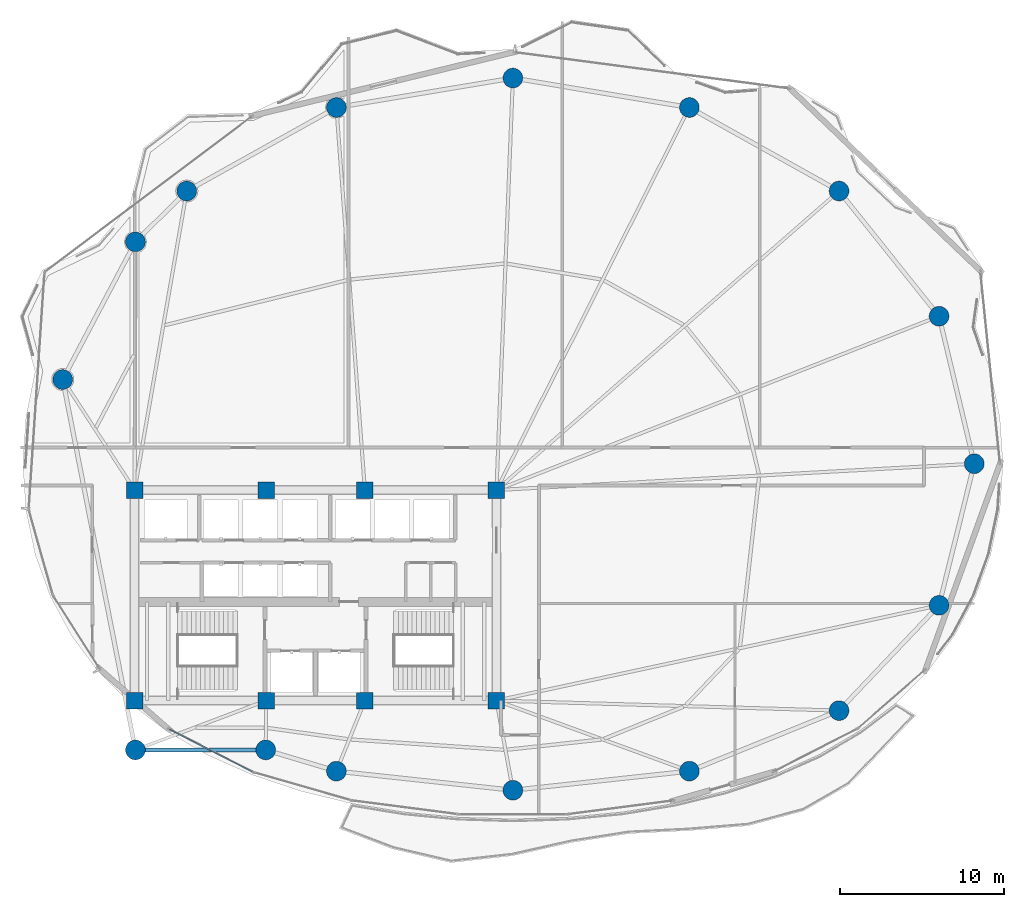
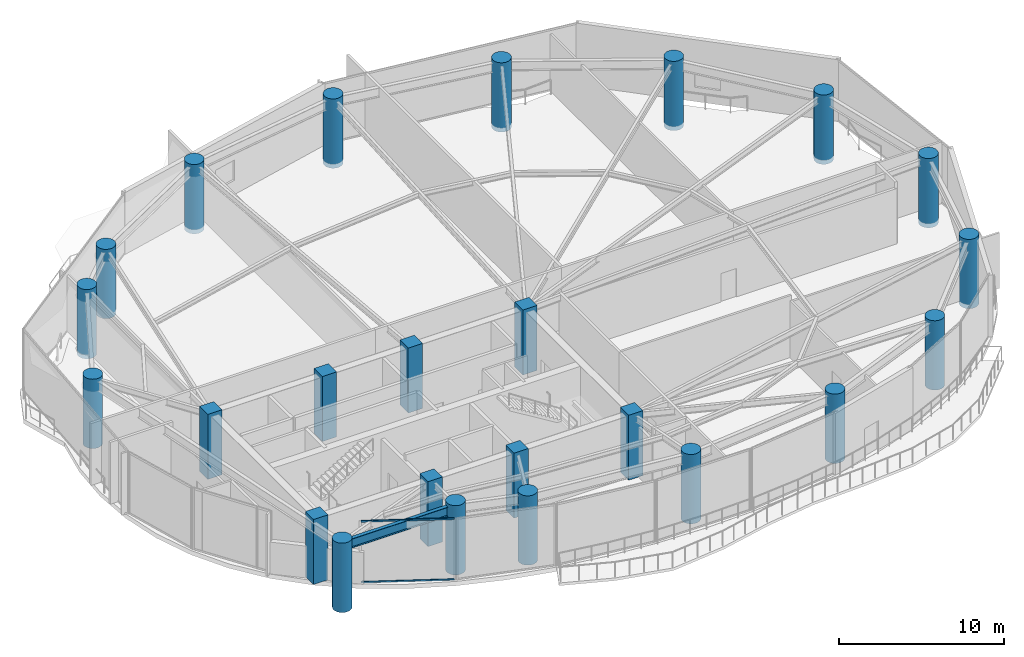
# One storey, part 1 of 30: 24 columns, 2 members, 1 beam, 1 element without a shape of its own.
"""IFC4 building model written with IfcOpenShell, lengths in metres."""

from ifc_helpers import new_model, si_unit, direction, frame, origin, origin_2d, place, context, subcontext, project, spatial, rectangle, hollow_rectangle, circle, i_section, extrude, material, layer, layer_set, material_profile, profile_set, type_object, element, aggregate, save


model = new_model("IFC4")

# Units and contexts
model_context = context("Model", 3, precision=1e-05, world=origin(), true_north=direction((0.0, 1.0)))
body_context = subcontext(model_context, "Body", "Model", "MODEL_VIEW")
ifc_project = project(units=[si_unit("LENGTHUNIT", "METRE"), si_unit("AREAUNIT", "SQUARE_METRE"), si_unit("VOLUMEUNIT", "CUBIC_METRE"), si_unit("PLANEANGLEUNIT", "RADIAN"), si_unit("MASSUNIT", "GRAM", prefix="KILO")], contexts=[model_context])

# Site, building, storey
site_placement = place(None, origin())
site = spatial("IfcSite", under=ifc_project, at=site_placement, CompositionType="ELEMENT")
building_placement = place(site_placement, origin())
building = spatial("IfcBuilding", under=site, at=building_placement, Name="Kazevale Care Tower and Concert Hall", CompositionType="ELEMENT")
storey_placement = place(building_placement, frame((0.0, 0.0, 97.800048828125)))
storey = spatial("IfcBuildingStorey", under=building, at=storey_placement, Name="L25", CompositionType="ELEMENT", Elevation=97.800048828125)

# Columns
ifc_material_1 = material(Name="Concrete C60", Category="concrete")
ifc_material_profile_1 = material_profile(ifc_material_1, rectangle(XDim=1.0, YDim=1.0, at=origin_2d()), Name="RC-SQ1000")
ifc_profile_set_1 = profile_set([ifc_material_profile_1], Name="Concrete C60")
column_type_1 = type_object("IfcColumnType", Name="Core Column SQ1000 C60", PredefinedType="COLUMN", material=ifc_profile_set_1)
for number, where, z_axis, x_axis, name in (
    (1, (22.0, 23.60009765625, 0.0), (0.0, 0.0, 1.0), (1.0, 0.0, 0.0), "col:L25:CC-01"),
    (2, (30.0, 23.60009765625, 0.0), (0.0, 0.0, 1.0), (1.0, 0.0, 0.0), "col:L25:CC-02"),
    (3, (36.0, 23.60009765625, 0.0), (0.0, 0.0, 1.0), (1.0, 0.0, 0.0), "col:L25:CC-03"),
    (4, (44.0, 23.60009765625, 0.0), (0.0, 0.0, 1.0), (1.0, 0.0, 0.0), "col:L25:CC-04"),
    (5, (44.0, 36.39990234375, 0.0), (0.0, 0.0, 1.0), (1.0, 0.0, 0.0), "col:L25:CC-05"),
    (6, (36.0, 36.39990234375, 0.0), (0.0, 0.0, 1.0), (1.0, 0.0, 0.0), "col:L25:CC-06"),
    (7, (30.0, 36.39990234375, 0.0), (0.0, 0.0, 1.0), (1.0, 0.0, 0.0), "col:L25:CC-07"),
    (8, (22.0, 36.39990234375, 0.0), (0.0, 0.0, 1.0), (1.0, 0.0, 0.0), "col:L25:CC-08"),
):
    element("IfcColumn", number, at=place(storey_placement, frame(where, z_axis=z_axis, x_axis=x_axis)), inside=storey, type_object=column_type_1, Name=name, PredefinedType="COLUMN", context=body_context, shape_type="SweptSolid", body=[
        extrude(rectangle(XDim=1.0, YDim=1.0, at=origin_2d()), origin(), (0.0, 0.0, 1.0), 4.800048828125),
    ])
ifc_material_profile_2 = material_profile(ifc_material_1, circle(Radius=0.60009765625, at=origin_2d()), Name="RC-CIR1200")
ifc_profile_set_2 = profile_set([ifc_material_profile_2], Name="Concrete C60")
column_type_2 = type_object("IfcColumnType", Name="Perimeter Column CIR1200 C60", PredefinedType="COLUMN", material=ifc_profile_set_2)
for number, where, z_axis, x_axis, name in (
    (9, (73.050048828125, 38.0, -0.320068359375), (0.0, 0.0, 1.0), (1.0, 0.0, 0.0), "col:L25:PC-01"),
    (10, (70.909912109375, 46.969970703125, -0.320068359375), (0.0, 0.0, 1.0), (1.0, 0.0, 0.0), "col:L25:PC-02"),
    (11, (64.830078125, 54.580078125, -0.320068359375), (0.0, 0.0, 1.0), (1.0, 0.0, 0.0), "col:L25:PC-03"),
    (12, (55.72998046875, 59.659912109375, -0.320068359375), (0.0, 0.0, 1.0), (1.0, 0.0, 0.0), "col:L25:PC-04"),
    (13, (45.0, 61.449951171875, -0.320068359375), (0.0, 0.0, 1.0), (1.0, 0.0, 0.0), "col:L25:PC-05"),
    (14, (34.27001953125, 59.659912109375, -0.320068359375), (0.0, 0.0, 1.0), (1.0, 0.0, 0.0), "col:L25:PC-06"),
    (15, (25.169921875, 54.580078125, -0.320068359375), (0.0, 0.0, 1.0), (1.0, 0.0, 0.0), "col:L25:PC-07"),
    (16, (22.050048828125, 51.489990234375, -0.320068359375), (0.0, 0.0, 1.0), (1.0, 0.0, 0.0), "col:L25:PC-08"),
    (17, (17.6298828125, 43.1201171875, -0.320068359375), (0.0, 0.0, 1.0), (1.0, 0.0, 0.0), "col:L25:PC-09"),
    (18, (22.050048828125, 20.60009765625, -0.320068359375), (0.0, 0.0, 1.0), (1.0, 0.0, 0.0), "col:L25:PC-10"),
    (19, (29.969970703125, 20.60009765625, -0.320068359375), (0.0, 0.0, 1.0), (1.0, 0.0, 0.0), "col:L25:PC-11"),
    (20, (34.27001953125, 19.31005859375, -0.320068359375), (0.0, 0.0, 1.0), (1.0, 0.0, 0.0), "col:L25:PC-12"),
    (21, (45.0, 18.14990234375, -0.320068359375), (0.0, 0.0, 1.0), (1.0, 0.0, 0.0), "col:L25:PC-13"),
    (22, (55.72998046875, 19.31005859375, -0.320068359375), (0.0, 0.0, 1.0), (1.0, 0.0, 0.0), "col:L25:PC-14"),
    (23, (64.830078125, 22.989990234375, -0.320068359375), (0.0, 0.0, 1.0), (1.0, 0.0, 0.0), "col:L25:PC-15"),
    (24, (70.909912109375, 29.389892578125, -0.320068359375), (0.0, 0.0, 1.0), (1.0, 0.0, 0.0), "col:L25:PC-16"),
):
    element("IfcColumn", number, at=place(storey_placement, frame(where, z_axis=z_axis, x_axis=x_axis)), inside=storey, type_object=column_type_2, Name=name, PredefinedType="COLUMN", context=body_context, shape_type="SweptSolid", body=[
        extrude(circle(Radius=0.60009765625, at=origin_2d()), origin(), (0.0, 0.0, 1.0), 5.1201171875),
    ])

# Curtain wall, members
ifc_material_2 = material(Name="Aluminium 6063-T6 and Low-E Glass", Category="aluminium")
ifc_layer = layer(ifc_material_2, 0.179931640625)
ifc_layer_set = layer_set([ifc_layer], Name="Aluminium 6063-T6 and Low-E Glass")
curtain_wall_type = type_object("IfcCurtainWallType", Name="Sheltered Concave Balcony Curtain Wall CW-5", PredefinedType="NOTDEFINED", material=ifc_layer_set)
curtain_wall_placement = place(storey_placement, origin())
curtain_wall = element("IfcCurtainWall", 25, at=curtain_wall_placement, inside=storey, type_object=curtain_wall_type, Name="cw:L25:f09", PredefinedType="NOTDEFINED")
ifc_material_3 = material(Name="Aluminium 6063-T6", Category="aluminium")
ifc_material_profile_3 = material_profile(ifc_material_3, hollow_rectangle(XDim=0.074951171875, YDim=0.1201171875, WallThickness=0.00390625, at=origin_2d()), Name="ALU75x120x4")
ifc_profile_set_3 = profile_set([ifc_material_profile_3], Name="Aluminium 6063-T6")
member_type = type_object("IfcMemberType", Name="CW-5 Transom ALU75x120x4", PredefinedType="USERDEFINED", material=ifc_profile_set_3)
member_1_placement = place(storey_placement, frame((29.144287109375, 19.279296875, 0.037353515625), z_axis=(-0.890142600475, 0.455682072084, 0.0), x_axis=(-0.455682072084, -0.890142600475, 0.0)))
member_1 = element("IfcMember", 26, at=member_1_placement, type_object=member_type, Name="CW-5 transom 1.1", ObjectType="TRANSOM", PredefinedType="USERDEFINED", context=body_context, shape_type="SweptSolid", body=[
    extrude(hollow_rectangle(XDim=0.074951171875, YDim=0.1201171875, WallThickness=0.00390625, at=origin_2d()), origin(), (0.0, 0.0, 1.0), 5.671630859375),
])
member_2_placement = place(storey_placement, frame((29.144287109375, 19.279296875, 4.5224609375), z_axis=(-0.890142600475, 0.455682072084, 0.0), x_axis=(-0.455682072084, -0.890142600475, 0.0)))
member_2 = element("IfcMember", 27, at=member_2_placement, type_object=member_type, Name="CW-5 transom 1.2", ObjectType="TRANSOM", PredefinedType="USERDEFINED", context=body_context, shape_type="SweptSolid", body=[
    extrude(hollow_rectangle(XDim=0.074951171875, YDim=0.1201171875, WallThickness=0.00390625, at=origin_2d()), origin(), (0.0, 0.0, 1.0), 5.671630859375),
])
aggregate(curtain_wall, [member_1, member_2])

# Beam
ifc_material_4 = material(Name="Steel ASTM A572 Gr 50", Category="steel")
ifc_material_profile_4 = material_profile(ifc_material_4, i_section(OverallWidth=0.256103515625, OverallDepth=0.693115234375, WebThickness=0.014404296875, FlangeThickness=0.023681640625, at=origin_2d()), Name="W690x170")
ifc_profile_set_4 = profile_set([ifc_material_profile_4], Name="Steel ASTM A572 Gr 50")
beam_type = type_object("IfcBeamType", Name="Waist Ring Beam W690x170", PredefinedType="BEAM", material=ifc_profile_set_4)
beam_placement = place(storey_placement, frame((22.050048828125, 20.60009765625, 4.21337890625), z_axis=(1.0, 0.0, 0.0), x_axis=(0.0, 1.0, 0.0)))
element("IfcBeam", 28, at=beam_placement, inside=storey, type_object=beam_type, Name="beam:L25:ring:10", PredefinedType="BEAM", context=body_context, shape_type="SweptSolid", body=[
    extrude(i_section(OverallWidth=0.256103515625, OverallDepth=0.693115234375, WebThickness=0.014404296875, FlangeThickness=0.023681640625, at=origin_2d()), origin(), (0.0, 0.0, 1.0), 7.919921875),
])

save(model, "model.ifc")
